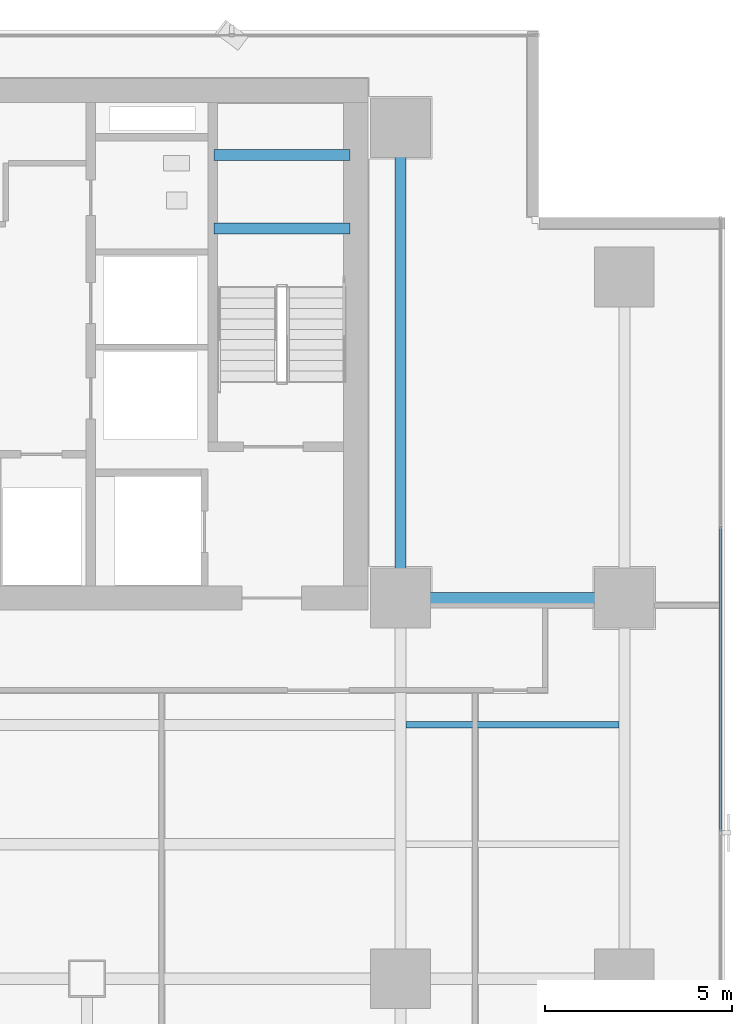
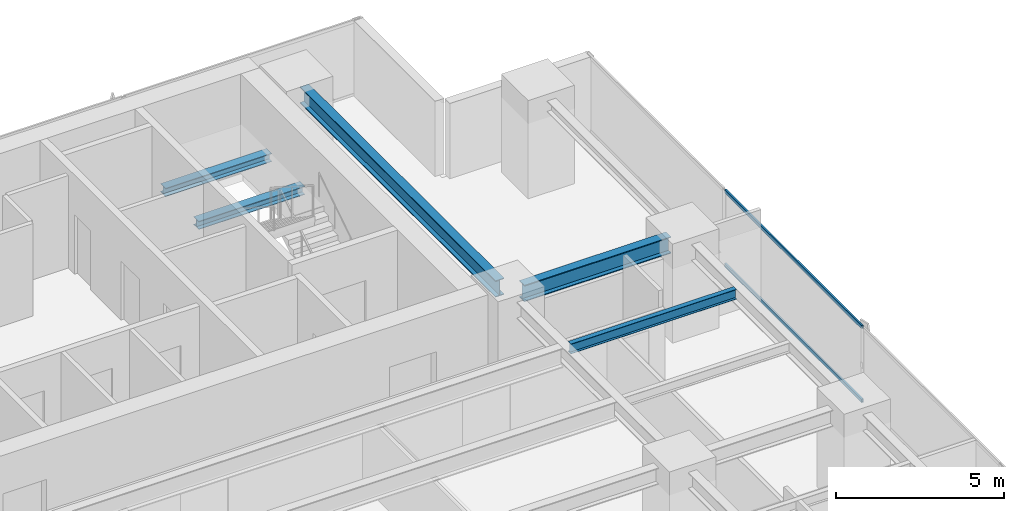
# One storey, part 23 of 36: 5 beams, 2 members, 1 element without a shape of its own.
"""IFC4 building model written with IfcOpenShell, lengths in metres."""

from ifc_helpers import new_model, si_unit, direction, frame, origin, origin_2d, place, context, subcontext, project, spatial, hollow_rectangle, i_section, extrude, source, transform, mapped, material, layer, layer_set, material_profile, profile_set, type_object, element, aggregate, save


model = new_model("IFC4")

# Units and contexts
model_context = context("Model", 3, precision=1e-05, world=origin(), true_north=direction((0.0, 1.0)))
body_context = subcontext(model_context, "Body", "Model", "MODEL_VIEW")
ifc_project = project(units=[si_unit("LENGTHUNIT", "METRE"), si_unit("AREAUNIT", "SQUARE_METRE"), si_unit("VOLUMEUNIT", "CUBIC_METRE"), si_unit("PLANEANGLEUNIT", "RADIAN"), si_unit("MASSUNIT", "GRAM", prefix="KILO")], contexts=[model_context])

# Site, building, storey
site_placement = place(None, origin())
site = spatial("IfcSite", under=ifc_project, at=site_placement, CompositionType="ELEMENT")
building_placement = place(site_placement, origin())
building = spatial("IfcBuilding", under=site, at=building_placement, Name="Sumidabori Civic Tower", CompositionType="ELEMENT")
storey_placement = place(building_placement, frame((0.0, 0.0, 77.60009765625)))
storey = spatial("IfcBuildingStorey", under=building, at=storey_placement, Name="L19", CompositionType="ELEMENT", Elevation=77.60009765625)

# Beams
ifc_material_1 = material(Name="Steel SN490", Category="steel")
ifc_material_profile_1 = material_profile(ifc_material_1, i_section(OverallWidth=0.300048828125, OverallDepth=0.300048828125, WebThickness=0.010986328125, FlangeThickness=0.01904296875, at=origin_2d()), Name="HE 300 B")
ifc_profile_set_1 = profile_set([ifc_material_profile_1], Name="Steel SN490")
beam_type_1 = type_object("IfcBeamType", Name="BM-LDG-300", PredefinedType="BEAM", material=ifc_profile_set_1)
shared_shape_1 = source(origin(), body_context, "Body", "SweptSolid", [
    extrude(i_section(OverallWidth=0.300048828125, OverallDepth=0.300048828125, WebThickness=0.010986328125, FlangeThickness=0.01904296875, at=origin_2d()), origin(), (0.0, 0.0, 1.0), 3.64990234375),
])
for number, where, z_axis, x_axis, name in (
    (1, (11.800048828125, 20.09765625, 1.449951171875), (1.0, 0.0, 0.0), (0.0, 1.0, 0.0), "Stair ST-2 Landing Support Beam L19-1A"),
    (2, (11.800048828125, 22.069580078125, 1.449951171875), (1.0, 0.0, 0.0), (0.0, 1.0, 0.0), "Stair ST-2 Landing Trimmer Beam L19-1B"),
):
    element("IfcBeam", number, at=place(storey_placement, frame(where, z_axis=z_axis, x_axis=x_axis)), inside=storey, type_object=beam_type_1, Name=name, PredefinedType="BEAM", context=body_context, shape_type="MappedRepresentation", body=[
        mapped(shared_shape_1, transform((0.0, 0.0, 0.0), x_axis=(1.0, 0.0, 0.0), y_axis=(0.0, 1.0, 0.0), z_axis=(0.0, 0.0, 1.0), scale=1.0)),
    ])
ifc_material_profile_2 = material_profile(ifc_material_1, i_section(OverallWidth=0.300048828125, OverallDepth=0.60009765625, WebThickness=0.015380859375, FlangeThickness=0.030029296875, at=origin_2d()), Name="HE 600 B")
ifc_profile_set_2 = profile_set([ifc_material_profile_2], Name="Steel SN490")
beam_type_2 = type_object("IfcBeamType", Name="BM-GIRD-600", PredefinedType="BEAM", material=ifc_profile_set_2)
shared_shape_2 = source(origin(), body_context, "Body", "SweptSolid", [
    extrude(i_section(OverallWidth=0.300048828125, OverallDepth=0.60009765625, WebThickness=0.015380859375, FlangeThickness=0.030029296875, at=origin_2d()), origin(), (0.0, 0.0, 1.0), 5.0400390625),
])
beam_1_placement = place(storey_placement, frame((17.280029296875, 10.199951171875, 3.059814453125), z_axis=(1.0, 0.0, 0.0), x_axis=(0.0, 1.0, 0.0)))
element("IfcBeam", 3, at=beam_1_placement, inside=storey, type_object=beam_type_2, Name="Primary Girder L19 GX-20", PredefinedType="BEAM", context=body_context, shape_type="MappedRepresentation", body=[
    mapped(shared_shape_2, transform((0.0, 0.0, 0.0), x_axis=(1.0, 0.0, 0.0), y_axis=(0.0, 1.0, 0.0), z_axis=(0.0, 0.0, 1.0), scale=1.0)),
])
shared_shape_3 = source(origin(), body_context, "Body", "SweptSolid", [
    extrude(i_section(OverallWidth=0.300048828125, OverallDepth=0.60009765625, WebThickness=0.015380859375, FlangeThickness=0.030029296875, at=origin_2d()), origin(), (0.0, 0.0, 1.0), 11.64013671875),
])
beam_2_placement = place(storey_placement, frame((16.800048828125, 10.679931640625, 3.059814453125), z_axis=(0.0, 1.0, 0.0), x_axis=(-1.0, 0.0, 0.0)))
element("IfcBeam", 4, at=beam_2_placement, inside=storey, type_object=beam_type_2, Name="Primary Girder L19 GY-38", PredefinedType="BEAM", context=body_context, shape_type="MappedRepresentation", body=[
    mapped(shared_shape_3, transform((0.0, 0.0, 0.0), x_axis=(1.0, 0.0, 0.0), y_axis=(0.0, 1.0, 0.0), z_axis=(0.0, 0.0, 1.0), scale=1.0)),
])
ifc_material_profile_3 = material_profile(ifc_material_1, i_section(OverallWidth=0.169921875, OverallDepth=0.360107421875, WebThickness=0.008056640625, FlangeThickness=0.0126953125, at=origin_2d()), Name="IPE 360")
ifc_profile_set_3 = profile_set([ifc_material_profile_3], Name="Steel SN490")
beam_type_3 = type_object("IfcBeamType", Name="BM-JST-360", PredefinedType="JOIST", material=ifc_profile_set_3)
shared_shape_4 = source(origin(), body_context, "Body", "SweptSolid", [
    extrude(i_section(OverallWidth=0.169921875, OverallDepth=0.360107421875, WebThickness=0.008056640625, FlangeThickness=0.0126953125, at=origin_2d()), origin(), (0.0, 0.0, 1.0), 5.699951171875),
])
beam_3_placement = place(storey_placement, frame((16.949951171875, 6.800048828125, 3.179931640625), z_axis=(1.0, 0.0, 0.0), x_axis=(0.0, 1.0, 0.0)))
element("IfcBeam", 5, at=beam_3_placement, inside=storey, type_object=beam_type_3, Name="Outer Bay Floor Joist L19 JSTO-50", PredefinedType="JOIST", context=body_context, shape_type="MappedRepresentation", body=[
    mapped(shared_shape_4, transform((0.0, 0.0, 0.0), x_axis=(1.0, 0.0, 0.0), y_axis=(0.0, 1.0, 0.0), z_axis=(0.0, 0.0, 1.0), scale=1.0)),
])

# Curtain wall, members
ifc_material_2 = material(Name="Anodised Bronze Aluminium AW-6063-T6", Category="aluminium")
ifc_layer = layer(ifc_material_2, 0.179931640625, Name="Anodised Bronze Aluminium AW-6063-T6")
ifc_layer_set = layer_set([ifc_layer], Name="Anodised Bronze Aluminium AW-6063-T6")
curtain_wall_type = type_object("IfcCurtainWallType", Name="CW-SYS-3", PredefinedType="NOTDEFINED", material=ifc_layer_set)
curtain_wall_placement = place(storey_placement, origin())
curtain_wall = element("IfcCurtainWall", 6, at=curtain_wall_placement, inside=storey, type_object=curtain_wall_type, Name="Curtain Wall CW:L19:R04", PredefinedType="NOTDEFINED")
ifc_material_profile_4 = material_profile(ifc_material_2, hollow_rectangle(XDim=0.06005859375, YDim=0.1298828125, WallThickness=0.0048828125, at=origin_2d()), Name="ALU TRANSOM 130x60")
ifc_profile_set_4 = profile_set([ifc_material_profile_4], Name="Anodised Bronze Aluminium AW-6063-T6")
member_type = type_object("IfcMemberType", Name="CW-TRN-130", PredefinedType="USERDEFINED", material=ifc_profile_set_4)
shared_shape_5 = source(origin(), body_context, "Body", "SweptSolid", [
    extrude(hollow_rectangle(XDim=0.06005859375, YDim=0.1298828125, WallThickness=0.0048828125, at=origin_2d()), origin(), (0.0, 0.0, 1.0), 8.1630859375),
])
member_1_placement = place(storey_placement, frame((25.3798828125, 3.946533203125, 0.02978515625), z_axis=(0.0, 1.0, 0.0), x_axis=(-1.0, 0.0, 0.0)))
member_1 = element("IfcMember", 7, at=member_1_placement, type_object=member_type, Name="CW-3 transom 4.1", ObjectType="TRANSOM", PredefinedType="USERDEFINED", context=body_context, shape_type="MappedRepresentation", body=[
    mapped(shared_shape_5, transform((0.0, 0.0, 0.0), x_axis=(1.0, 0.0, 0.0), y_axis=(0.0, 1.0, 0.0), z_axis=(0.0, 0.0, 1.0), scale=1.0)),
])
member_2_placement = place(storey_placement, frame((25.3798828125, 3.946533203125, 2.7099609375), z_axis=(0.0, 1.0, 0.0), x_axis=(-1.0, 0.0, 0.0)))
member_2 = element("IfcMember", 8, at=member_2_placement, type_object=member_type, Name="CW-3 transom 4.2", ObjectType="TRANSOM", PredefinedType="USERDEFINED", context=body_context, shape_type="MappedRepresentation", body=[
    mapped(shared_shape_5, transform((0.0, 0.0, 0.0), x_axis=(1.0, 0.0, 0.0), y_axis=(0.0, 1.0, 0.0), z_axis=(0.0, 0.0, 1.0), scale=1.0)),
])
aggregate(curtain_wall, [member_1, member_2])

save(model, "model.ifc")
